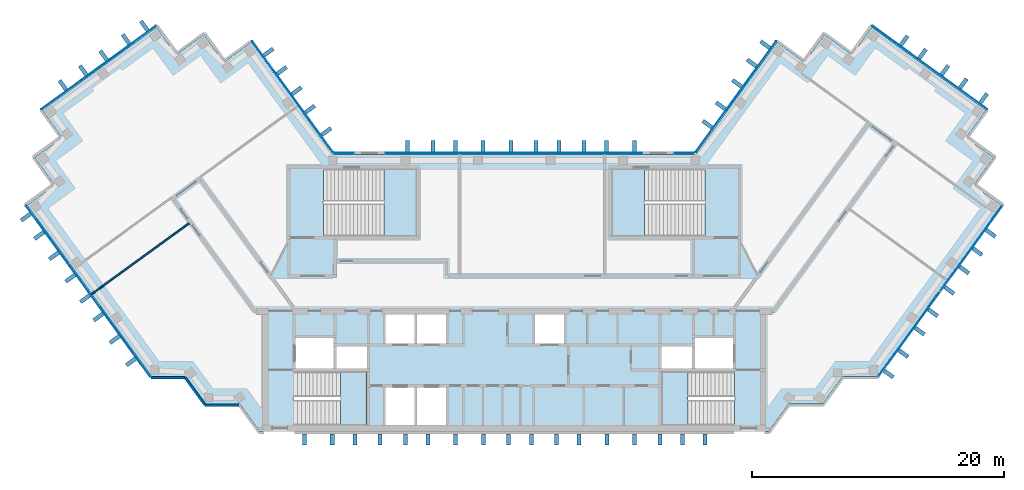
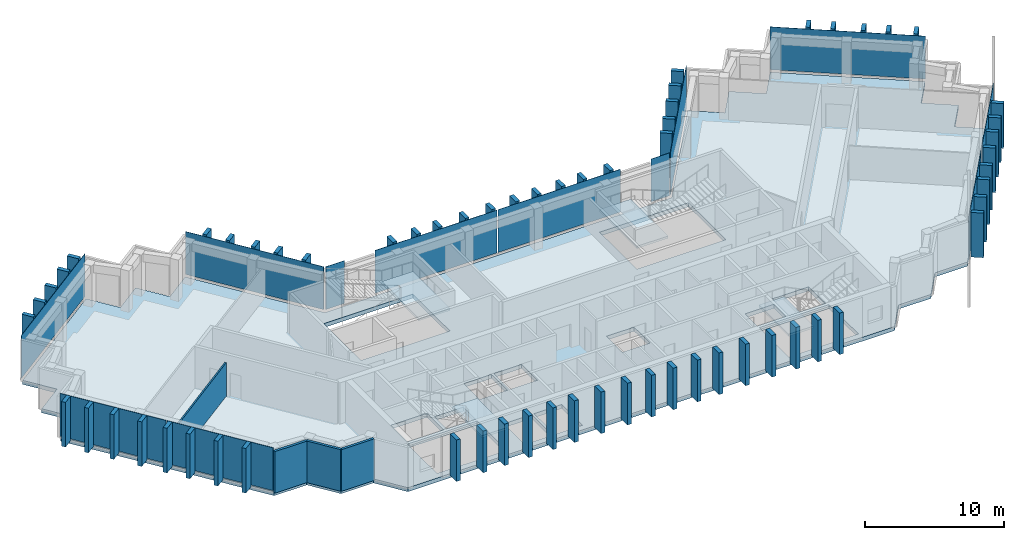
"""IFC4 building model written with IfcOpenShell, lengths in metres."""

from ifc_helpers import new_model, si_unit, direction, frame, frame_2d, origin, origin_2d, place, context, subcontext, project, spatial, polyline, rectangle, outline, extrude, material, layer, layer_set, type_object, element, aggregate, save


model = new_model("IFC4")

# Units and contexts
model_context = context("Model", 3, precision=1e-05, world=origin(), true_north=direction((0.0, 1.0)))
body_context = subcontext(model_context, "Body", "Model", "MODEL_VIEW")
ifc_project = project(units=[si_unit("LENGTHUNIT", "METRE"), si_unit("AREAUNIT", "SQUARE_METRE"), si_unit("VOLUMEUNIT", "CUBIC_METRE"), si_unit("PLANEANGLEUNIT", "RADIAN"), si_unit("MASSUNIT", "GRAM", prefix="KILO")], contexts=[model_context])

# Site, building, storey
site_placement = place(None, origin())
site = spatial("IfcSite", under=ifc_project, at=site_placement, CompositionType="ELEMENT")
building_placement = place(site_placement, origin())
building = spatial("IfcBuilding", under=site, at=building_placement, Name="Quipu Civic Tower", CompositionType="ELEMENT")
storey_1_placement = place(building_placement, frame((0.0, 0.0, 327.0)))
storey_1 = spatial("IfcBuildingStorey", under=building, at=storey_1_placement, Name="L76", CompositionType="ELEMENT", Elevation=327.0)

# Slab
ifc_material_1 = material(Name="Concrete C40/50", Category="concrete")
ifc_layer_1 = layer(ifc_material_1, 0.35009765625)
ifc_layer_set_1 = layer_set([ifc_layer_1], Name="Concrete C40/50")
slab_type_1 = type_object("IfcSlabType", Name="Floor slab 350 C40/50", PredefinedType="FLOOR", material=ifc_layer_set_1)
slab_1_placement = place(storey_1_placement, frame((0.0, 0.0, -0.35009765625)))
element("IfcSlab", 1, at=slab_1_placement, inside=storey_1, type_object=slab_type_1, Name="Floor slab L76", PredefinedType="FLOOR", context=body_context, shape_type="SweptSolid", body=[
    extrude(outline(polyline([(20.860107421875, 19.89501953125), (23.0400390625, 18.31005859375), (24.6298828125, 20.4951171875), (26.81494140625, 18.905029296875), (28.39990234375, 21.090087890625), (37.4599609375, 14.5048828125), (35.875, 12.320068359375), (38.06005859375, 10.735107421875), (36.469970703125, 8.550048828125), (38.655029296875, 6.965087890625), (28.780029296875, -6.6298828125), (26.080078125, -6.6298828125), (24.489990234375, -8.81494140625), (21.7900390625, -8.81494140625), (20.205078125, -11.0), (-20.205078125, -11.0), (-21.7900390625, -8.81494140625), (-24.489990234375, -8.81494140625), (-26.080078125, -6.6298828125), (-28.780029296875, -6.6298828125), (-38.655029296875, 6.965087890625), (-36.469970703125, 8.550048828125), (-38.06005859375, 10.735107421875), (-35.875, 12.320068359375), (-37.4599609375, 14.5048828125), (-28.39990234375, 21.090087890625), (-26.81494140625, 18.905029296875), (-24.6298828125, 20.4951171875), (-23.0400390625, 18.31005859375), (-20.860107421875, 19.89501953125), (-14.39501953125, 11.0), (14.39501953125, 11.0), (20.860107421875, 19.89501953125)]), holes=[polyline([(-10.199951171875, -10.5), (-7.89990234375, -10.5), (-7.89990234375, -7.5), (-10.199951171875, -7.5), (-10.199951171875, -10.5)]), polyline([(-7.699951171875, -7.5), (-7.699951171875, -10.5), (-5.39990234375, -10.5), (-5.39990234375, -7.5), (-7.699951171875, -7.5)]), polyline([(-11.705078125, -6.2548828125), (-17.4951171875, -6.2548828125), (-17.4951171875, -10.4951171875), (-11.705078125, -10.4951171875), (-11.705078125, -6.2548828125)]), polyline([(-14.10009765625, -6.0), (-11.699951171875, -6.0), (-11.699951171875, -4.25), (-14.10009765625, -4.25), (-14.10009765625, -6.0)]), polyline([(-17.35009765625, -3.60009765625), (-17.35009765625, -6.0), (-14.35009765625, -6.0), (-14.35009765625, -3.60009765625), (-17.35009765625, -3.60009765625)]), polyline([(-10.199951171875, -1.699951171875), (-10.199951171875, -4.0), (-7.89990234375, -4.0), (-7.89990234375, -1.699951171875), (-10.199951171875, -1.699951171875)]), polyline([(-15.14501953125, 9.844970703125), (-15.14501953125, 4.5048828125), (-7.7548828125, 4.5048828125), (-7.7548828125, 9.844970703125), (-15.14501953125, 9.844970703125)]), polyline([(11.705078125, -10.4951171875), (17.4951171875, -10.4951171875), (17.4951171875, -6.2548828125), (11.705078125, -6.2548828125), (11.705078125, -10.4951171875)]), polyline([(11.699951171875, -4.25), (11.699951171875, -6.0), (14.10009765625, -6.0), (14.10009765625, -4.25), (11.699951171875, -4.25)]), polyline([(14.35009765625, -3.60009765625), (14.35009765625, -6.0), (17.35009765625, -6.0), (17.35009765625, -3.60009765625), (14.35009765625, -3.60009765625)]), polyline([(-7.699951171875, -1.699951171875), (-7.699951171875, -4.0), (-5.39990234375, -4.0), (-5.39990234375, -1.699951171875), (-7.699951171875, -1.699951171875)]), polyline([(1.64990234375, -1.699951171875), (1.64990234375, -4.0), (3.949951171875, -4.0), (3.949951171875, -1.699951171875), (1.64990234375, -1.699951171875)]), polyline([(7.7548828125, 4.5048828125), (15.14501953125, 4.5048828125), (15.14501953125, 9.844970703125), (7.7548828125, 9.844970703125), (7.7548828125, 4.5048828125)])]), origin(), (0.0, 0.0, 1.0), 0.35009765625),
])

# Storey
storey_2_placement = place(building_placement, frame((0.0, 0.0, 323.0)))
storey_2 = spatial("IfcBuildingStorey", under=building, at=storey_2_placement, Name="L75", CompositionType="ELEMENT", Elevation=323.0)

# Curtain wall, plate
ifc_material_2 = material(Name="Insulated glass unit", Category="glass")
curtain_wall_type = type_object("IfcCurtainWallType", Name="Office curtain wall CW1", PredefinedType="NOTDEFINED", material=ifc_material_2)
curtain_wall_1_placement = place(storey_2_placement, origin())
curtain_wall_1 = element("IfcCurtainWall", 2, at=curtain_wall_1_placement, inside=storey_2, type_object=curtain_wall_type, Name="Office curtain wall CW1 L74 run 8", PredefinedType="NOTDEFINED")
ifc_material_3 = material(Name="Insulated glass unit", Category="glass")
ifc_layer_2 = layer(ifc_material_3, 0.028076171875)
ifc_layer_set_2 = layer_set([ifc_layer_2], Name="Insulated glass unit")
plate_type_1 = type_object("IfcPlateType", Name="Glass panel CW1", PredefinedType="CURTAIN_PANEL", material=ifc_layer_set_2)
plate_1_placement = place(storey_1_placement, frame((-17.590087890625, 15.5673828125, 0.16015625), z_axis=(0.0, 0.0, 1.0), x_axis=(-0.587787771652, 0.809015163947, 0.0)))
plate_1 = element("IfcPlate", 3, at=plate_1_placement, inside=storey_1, type_object=plate_type_1, Name="CW1 panel 1.3", PredefinedType="CURTAIN_PANEL", context=body_context, shape_type="SweptSolid", body=[
    extrude(rectangle(XDim=10.88427734375, YDim=0.028076171875, at=origin_2d()), origin(), (0.0, 0.0, 1.0), 3.760009765625),
])
aggregate(curtain_wall_1, [plate_1])

curtain_wall_2_placement = place(storey_2_placement, origin())
curtain_wall_2 = element("IfcCurtainWall", 4, at=curtain_wall_2_placement, inside=storey_2, type_object=curtain_wall_type, Name="Office curtain wall CW1 L74 run 13", PredefinedType="NOTDEFINED")
plate_2_placement = place(storey_1_placement, frame((-32.989990234375, 17.87939453125, 0.16015625), z_axis=(0.0, 0.0, 1.0), x_axis=(-0.809015176832, -0.587787753918, 0.0)))
plate_2 = element("IfcPlate", 5, at=plate_2_placement, inside=storey_1, type_object=plate_type_1, Name="CW1 panel 1.3", PredefinedType="CURTAIN_PANEL", context=body_context, shape_type="SweptSolid", body=[
    extrude(rectangle(XDim=11.239990234375, YDim=0.028076171875, at=origin_2d()), origin(), (0.0, 0.0, 1.0), 3.760009765625),
])
aggregate(curtain_wall_2, [plate_2])

# Curtain wall, plates
curtain_wall_3_placement = place(storey_2_placement, origin())
curtain_wall_3 = element("IfcCurtainWall", 6, at=curtain_wall_3_placement, inside=storey_2, type_object=curtain_wall_type, Name="Office curtain wall CW1 L74 run 18", PredefinedType="NOTDEFINED")
plate_3_placement = place(storey_1_placement, frame((-36.292724609375, 3.54052734375, 0.16015625), z_axis=(0.0, 0.0, 1.0), x_axis=(0.587786237643, -0.809016278475, 0.0)))
plate_3 = element("IfcPlate", 7, at=plate_3_placement, inside=storey_1, type_object=plate_type_1, Name="CW1 panel 1.3", PredefinedType="CURTAIN_PANEL", context=body_context, shape_type="SweptSolid", body=[
    extrude(rectangle(XDim=8.35791015625, YDim=0.028076171875, at=origin_2d()), origin(), (0.0, 0.0, 1.0), 3.760009765625),
])
plate_4_placement = place(storey_1_placement, frame((-31.333251953125, -3.285888671875, 0.16015625), z_axis=(0.0, 0.0, 1.0), x_axis=(0.587786237643, -0.809016278475, 0.0)))
plate_4 = element("IfcPlate", 8, at=plate_4_placement, inside=storey_1, type_object=plate_type_1, Name="CW1 panel 2.3", PredefinedType="CURTAIN_PANEL", context=body_context, shape_type="SweptSolid", body=[
    extrude(rectangle(XDim=8.35791015625, YDim=0.028076171875, at=origin_2d()), origin(), (0.0, 0.0, 1.0), 3.760009765625),
])
aggregate(curtain_wall_3, [plate_3, plate_4])

# Curtain wall, plate
curtain_wall_4_placement = place(storey_2_placement, origin())
curtain_wall_4 = element("IfcCurtainWall", 9, at=curtain_wall_4_placement, inside=storey_2, type_object=curtain_wall_type, Name="Office curtain wall CW1 L74 run 28", PredefinedType="NOTDEFINED")
plate_5_placement = place(storey_1_placement, frame((32.989990234375, 17.87939453125, 0.16015625), z_axis=(0.0, 0.0, 1.0), x_axis=(-0.809015176832, 0.587787753918, 0.0)))
plate_5 = element("IfcPlate", 10, at=plate_5_placement, inside=storey_1, type_object=plate_type_1, Name="CW1 panel 1.3", PredefinedType="CURTAIN_PANEL", context=body_context, shape_type="SweptSolid", body=[
    extrude(rectangle(XDim=11.239990234375, YDim=0.028076171875, at=origin_2d()), origin(), (0.0, 0.0, 1.0), 3.760009765625),
])
aggregate(curtain_wall_4, [plate_5])

curtain_wall_5_placement = place(storey_2_placement, origin())
curtain_wall_5 = element("IfcCurtainWall", 11, at=curtain_wall_5_placement, inside=storey_2, type_object=curtain_wall_type, Name="Office curtain wall CW1 L74 run 33", PredefinedType="NOTDEFINED")
plate_6_placement = place(storey_1_placement, frame((17.590087890625, 15.5673828125, 0.16015625), z_axis=(0.0, 0.0, 1.0), x_axis=(-0.587787771652, -0.809015163947, 0.0)))
plate_6 = element("IfcPlate", 12, at=plate_6_placement, inside=storey_1, type_object=plate_type_1, Name="CW1 panel 1.3", PredefinedType="CURTAIN_PANEL", context=body_context, shape_type="SweptSolid", body=[
    extrude(rectangle(XDim=10.88427734375, YDim=0.028076171875, at=origin_2d()), origin(), (0.0, 0.0, 1.0), 3.760009765625),
])
aggregate(curtain_wall_5, [plate_6])

curtain_wall_6_placement = place(storey_2_placement, origin())
curtain_wall_6 = element("IfcCurtainWall", 13, at=curtain_wall_6_placement, inside=storey_2, type_object=curtain_wall_type, Name="Office curtain wall CW1 L74 run 34", PredefinedType="NOTDEFINED")
plate_7_placement = place(storey_1_placement, frame((13.49951171875, 11.10009765625, 0.16015625), z_axis=(0.0, 0.0, 1.0), x_axis=(-1.0, 0.0, 0.0)))
plate_7 = element("IfcPlate", 14, at=plate_7_placement, inside=storey_1, type_object=plate_type_1, Name="CW1 panel 1.3", PredefinedType="CURTAIN_PANEL", context=body_context, shape_type="SweptSolid", body=[
    extrude(rectangle(XDim=1.529296875, YDim=0.028076171875, at=origin_2d()), origin(), (0.0, 0.0, 1.0), 3.760009765625),
])
aggregate(curtain_wall_6, [plate_7])

# Curtain wall, plates
curtain_wall_7_placement = place(storey_2_placement, origin())
curtain_wall_7 = element("IfcCurtainWall", 15, at=curtain_wall_7_placement, inside=storey_2, type_object=curtain_wall_type, Name="Office curtain wall CW1 L74 run 36", PredefinedType="NOTDEFINED")
plate_8_placement = place(storey_1_placement, frame((5.11181640625, 11.10009765625, 0.16015625), z_axis=(0.0, 0.0, 1.0), x_axis=(-1.0, 0.0, 0.0)))
plate_8 = element("IfcPlate", 16, at=plate_8_placement, inside=storey_1, type_object=plate_type_1, Name="CW1 panel 1.3", PredefinedType="CURTAIN_PANEL", context=body_context, shape_type="SweptSolid", body=[
    extrude(rectangle(XDim=10.1435546875, YDim=0.028076171875, at=origin_2d()), origin(), (0.0, 0.0, 1.0), 3.760009765625),
])
plate_9_placement = place(storey_1_placement, frame((-5.11181640625, 11.10009765625, 0.16015625), z_axis=(0.0, 0.0, 1.0), x_axis=(-1.0, 0.0, 0.0)))
plate_9 = element("IfcPlate", 17, at=plate_9_placement, inside=storey_1, type_object=plate_type_1, Name="CW1 panel 2.3", PredefinedType="CURTAIN_PANEL", context=body_context, shape_type="SweptSolid", body=[
    extrude(rectangle(XDim=10.1435546875, YDim=0.028076171875, at=origin_2d()), origin(), (0.0, 0.0, 1.0), 3.760009765625),
])
aggregate(curtain_wall_7, [plate_8, plate_9])

# Curtain wall, plate
curtain_wall_8_placement = place(storey_2_placement, origin())
curtain_wall_8 = element("IfcCurtainWall", 18, at=curtain_wall_8_placement, inside=storey_2, type_object=curtain_wall_type, Name="Office curtain wall CW1 L74 run 38", PredefinedType="NOTDEFINED")
plate_10_placement = place(storey_1_placement, frame((-13.49951171875, 11.10009765625, 0.16015625), z_axis=(0.0, 0.0, 1.0), x_axis=(-1.0, 0.0, 0.0)))
plate_10 = element("IfcPlate", 19, at=plate_10_placement, inside=storey_1, type_object=plate_type_1, Name="CW1 panel 1.3", PredefinedType="CURTAIN_PANEL", context=body_context, shape_type="SweptSolid", body=[
    extrude(rectangle(XDim=1.529296875, YDim=0.028076171875, at=origin_2d()), origin(), (0.0, 0.0, 1.0), 3.760009765625),
])
aggregate(curtain_wall_8, [plate_10])

# Curtain wall, plates
curtain_wall_9_placement = place(storey_1_placement, origin())
curtain_wall_9 = element("IfcCurtainWall", 20, at=curtain_wall_9_placement, inside=storey_1, type_object=curtain_wall_type, Name="Office curtain wall CW1 L75 run 4", PredefinedType="NOTDEFINED")
plate_11_placement = place(storey_1_placement, frame((31.333251953125, -3.285888671875, 0.16015625), z_axis=(0.0, 0.0, 1.0), x_axis=(0.587786237643, 0.809016278475, 0.0)))
plate_11 = element("IfcPlate", 21, at=plate_11_placement, type_object=plate_type_1, Name="CW1 panel 1.2", PredefinedType="CURTAIN_PANEL", context=body_context, shape_type="SweptSolid", body=[
    extrude(rectangle(XDim=8.35791015625, YDim=0.028076171875, at=origin_2d()), origin(), (0.0, 0.0, 1.0), 3.840087890625),
])
plate_12_placement = place(storey_1_placement, frame((36.292724609375, 3.54052734375, 0.16015625), z_axis=(0.0, 0.0, 1.0), x_axis=(0.587786237643, 0.809016278475, 0.0)))
plate_12 = element("IfcPlate", 22, at=plate_12_placement, type_object=plate_type_1, Name="CW1 panel 2.2", PredefinedType="CURTAIN_PANEL", context=body_context, shape_type="SweptSolid", body=[
    extrude(rectangle(XDim=8.35791015625, YDim=0.028076171875, at=origin_2d()), origin(), (0.0, 0.0, 1.0), 3.840087890625),
])
aggregate(curtain_wall_9, [plate_11, plate_12])

# Plates
ifc_material_4 = material(Name="Precast concrete C40/50", Category="concrete")
plate_type_2 = type_object("IfcPlateType", Name="Precast fin F3", PredefinedType="SHEET", material=ifc_material_4)
for number, where, z_axis, x_axis, name in (
    (23, (-14.90380859375, 12.805908203125, 0.080078125), (0.0, 0.0, 1.0), (-0.58778443384, 0.809017589015, 0.0), "Precast fin F3 L76.P01.1"),
    (24, (-16.197021484375, 14.585693359375, 0.080078125), (0.0, 0.0, 1.0), (-0.58778443384, 0.809017589015, 0.0), "Precast fin F3 L76.P01.2"),
    (25, (-17.2548828125, 16.0419921875, 0.080078125), (0.0, 0.0, 1.0), (-0.58778443384, 0.809017589015, 0.0), "Precast fin F3 L76.P01.3"),
    (26, (-18.4306640625, 17.66015625, 0.080078125), (0.0, 0.0, 1.0), (-0.58778443384, 0.809017589015, 0.0), "Precast fin F3 L76.P01.4"),
    (27, (-19.488525390625, 19.1162109375, 0.080078125), (0.0, 0.0, 1.0), (-0.58778443384, 0.809017589015, 0.0), "Precast fin F3 L76.P01.5"),
    (28, (-29.357177734375, 21.198486328125, 0.080078125), (0.0, 0.0, 1.0), (-0.809017072762, -0.587785144401, 0.0), "Precast fin F3 L76.P06.1"),
    (29, (-30.8134765625, 20.140625, 0.080078125), (0.0, 0.0, 1.0), (-0.809017072762, -0.587785144401, 0.0), "Precast fin F3 L76.P06.2"),
    (30, (-32.59326171875, 18.847412109375, 0.080078125), (0.0, 0.0, 1.0), (-0.809017072762, -0.587785144401, 0.0), "Precast fin F3 L76.P06.3"),
    (31, (-34.21142578125, 17.671875, 0.080078125), (0.0, 0.0, 1.0), (-0.809017072762, -0.587785144401, 0.0), "Precast fin F3 L76.P06.4"),
    (32, (-35.829345703125, 16.496337890625, 0.080078125), (0.0, 0.0, 1.0), (-0.809017072762, -0.587785144401, 0.0), "Precast fin F3 L76.P06.5"),
    (33, (-38.764892578125, 6.007568359375, 0.080078125), (0.0, 0.0, 1.0), (0.587786668783, -0.809015965233, 0.0), "Precast fin F3 L76.P11.1"),
    (34, (-37.70703125, 4.55126953125, 0.080078125), (0.0, 0.0, 1.0), (0.587786668783, -0.809015965233, 0.0), "Precast fin F3 L76.P11.2"),
    (35, (-36.53125, 2.933349609375, 0.080078125), (0.0, 0.0, 1.0), (0.587786668783, -0.809015965233, 0.0), "Precast fin F3 L76.P11.3"),
    (36, (-35.23828125, 1.1533203125, 0.080078125), (0.0, 0.0, 1.0), (0.587786668783, -0.809015965233, 0.0), "Precast fin F3 L76.P11.4"),
    (37, (-34.062744140625, -0.464599609375, 0.080078125), (0.0, 0.0, 1.0), (0.587786668783, -0.809015965233, 0.0), "Precast fin F3 L76.P11.5"),
    (38, (-33.004638671875, -1.9208984375, 0.080078125), (0.0, 0.0, 1.0), (0.587786668783, -0.809015965233, 0.0), "Precast fin F3 L76.P11.6"),
    (39, (-31.71142578125, -3.70068359375, 0.080078125), (0.0, 0.0, 1.0), (0.587786668783, -0.809015965233, 0.0), "Precast fin F3 L76.P11.7"),
    (40, (-30.41845703125, -5.48046875, 0.080078125), (0.0, 0.0, 1.0), (0.587786668783, -0.809015965233, 0.0), "Precast fin F3 L76.P11.8"),
):
    element("IfcPlate", number, at=place(storey_1_placement, frame(where, z_axis=z_axis, x_axis=x_axis)), inside=storey_1, type_object=plate_type_2, Name=name, PredefinedType="SHEET", context=body_context, shape_type="SweptSolid", body=[
        extrude(rectangle(XDim=0.320068359375, YDim=0.89990234375, at=origin_2d()), origin(), (0.0, 0.0, 1.0), 3.919921875),
    ])
for number, where, z_axis, x_axis, name in (
    (41, (-16.639892578125, -11.637939453125, 0.0), (0.0, 0.0, 1.0), (1.0, 0.0, 0.0), "Precast fin F3 L76.P18.1"),
    (42, (-14.43994140625, -11.637939453125, 0.0), (0.0, 0.0, 1.0), (1.0, 0.0, 0.0), "Precast fin F3 L76.P18.2"),
    (43, (-12.639892578125, -11.637939453125, 0.0), (0.0, 0.0, 1.0), (1.0, 0.0, 0.0), "Precast fin F3 L76.P18.3"),
    (44, (-10.639892578125, -11.637939453125, 0.0), (0.0, 0.0, 1.0), (1.0, 0.0, 0.0), "Precast fin F3 L76.P18.4"),
    (45, (-8.639892578125, -11.637939453125, 0.0), (0.0, 0.0, 1.0), (1.0, 0.0, 0.0), "Precast fin F3 L76.P18.5"),
    (46, (-6.840087890625, -11.637939453125, 0.0), (0.0, 0.0, 1.0), (1.0, 0.0, 0.0), "Precast fin F3 L76.P18.6"),
    (47, (-4.639892578125, -11.637939453125, 0.0), (0.0, 0.0, 1.0), (1.0, 0.0, 0.0), "Precast fin F3 L76.P18.7"),
    (48, (-2.43994140625, -11.637939453125, 0.0), (0.0, 0.0, 1.0), (1.0, 0.0, 0.0), "Precast fin F3 L76.P18.8"),
    (49, (-0.43994140625, -11.637939453125, 0.0), (0.0, 0.0, 1.0), (1.0, 0.0, 0.0), "Precast fin F3 L76.P18.9"),
    (50, (1.360107421875, -11.637939453125, 0.0), (0.0, 0.0, 1.0), (1.0, 0.0, 0.0), "Precast fin F3 L76.P18.10"),
    (51, (3.360107421875, -11.637939453125, 0.0), (0.0, 0.0, 1.0), (1.0, 0.0, 0.0), "Precast fin F3 L76.P18.11"),
    (52, (5.159912109375, -11.637939453125, 0.0), (0.0, 0.0, 1.0), (1.0, 0.0, 0.0), "Precast fin F3 L76.P18.12"),
    (53, (7.360107421875, -11.637939453125, 0.0), (0.0, 0.0, 1.0), (1.0, 0.0, 0.0), "Precast fin F3 L76.P18.13"),
    (54, (9.56005859375, -11.637939453125, 0.0), (0.0, 0.0, 1.0), (1.0, 0.0, 0.0), "Precast fin F3 L76.P18.14"),
    (55, (11.56005859375, -11.637939453125, 0.0), (0.0, 0.0, 1.0), (1.0, 0.0, 0.0), "Precast fin F3 L76.P18.15"),
    (56, (13.360107421875, -11.637939453125, 0.0), (0.0, 0.0, 1.0), (1.0, 0.0, 0.0), "Precast fin F3 L76.P18.16"),
    (57, (15.159912109375, -11.637939453125, 0.0), (0.0, 0.0, 1.0), (1.0, 0.0, 0.0), "Precast fin F3 L76.P18.17"),
):
    element("IfcPlate", number, at=place(storey_1_placement, frame(where, z_axis=z_axis, x_axis=x_axis)), inside=storey_1, type_object=plate_type_2, Name=name, PredefinedType="SHEET", context=body_context, shape_type="SweptSolid", body=[
        extrude(rectangle(XDim=0.320068359375, YDim=0.89990234375, at=origin_2d()), origin(), (0.0, 0.0, 1.0), 3.64990234375),
    ])
for number, where, z_axis, x_axis, name in (
    (58, (37.26953125, 15.449951171875, 0.080078125), (0.0, 0.0, 1.0), (-0.809017072762, 0.587785144401, 0.0), "Precast fin F3 L76.P22.1"),
    (59, (35.6513671875, 16.62548828125, 0.080078125), (0.0, 0.0, 1.0), (-0.809017072762, 0.587785144401, 0.0), "Precast fin F3 L76.P22.2"),
    (60, (34.1953125, 17.68359375, 0.080078125), (0.0, 0.0, 1.0), (-0.809017072762, 0.587785144401, 0.0), "Precast fin F3 L76.P22.3"),
    (61, (32.415283203125, 18.976806640625, 0.080078125), (0.0, 0.0, 1.0), (-0.809017072762, 0.587785144401, 0.0), "Precast fin F3 L76.P22.4"),
    (62, (30.959228515625, 20.03466796875, 0.080078125), (0.0, 0.0, 1.0), (-0.809017072762, 0.587785144401, 0.0), "Precast fin F3 L76.P22.5"),
    (63, (19.914794921875, 19.702880859375, 0.080078125), (0.0, 0.0, 1.0), (-0.58778443384, -0.809017589015, 0.0), "Precast fin F3 L76.P27.1"),
    (64, (18.856689453125, 18.246826171875, 0.080078125), (0.0, 0.0, 1.0), (-0.58778443384, -0.809017589015, 0.0), "Precast fin F3 L76.P27.2"),
    (65, (17.68115234375, 16.628662109375, 0.080078125), (0.0, 0.0, 1.0), (-0.58778443384, -0.809017589015, 0.0), "Precast fin F3 L76.P27.3"),
    (66, (16.38818359375, 14.848876953125, 0.080078125), (0.0, 0.0, 1.0), (-0.58778443384, -0.809017589015, 0.0), "Precast fin F3 L76.P27.4"),
    (67, (15.330078125, 13.392578125, 0.080078125), (0.0, 0.0, 1.0), (-0.58778443384, -0.809017589015, 0.0), "Precast fin F3 L76.P27.5"),
    (68, (9.5400390625, 11.64990234375, 0.080078125), (0.0, 0.0, 1.0), (-1.0, 0.0, 0.0), "Precast fin F3 L76.P30.1"),
    (69, (7.340087890625, 11.64990234375, 0.080078125), (0.0, 0.0, 1.0), (-1.0, 0.0, 0.0), "Precast fin F3 L76.P30.2"),
    (70, (5.5400390625, 11.64990234375, 0.080078125), (0.0, 0.0, 1.0), (-1.0, 0.0, 0.0), "Precast fin F3 L76.P30.3"),
    (71, (3.5400390625, 11.64990234375, 0.080078125), (0.0, 0.0, 1.0), (-1.0, 0.0, 0.0), "Precast fin F3 L76.P30.4"),
    (72, (1.739990234375, 11.64990234375, 0.080078125), (0.0, 0.0, 1.0), (-1.0, 0.0, 0.0), "Precast fin F3 L76.P30.5"),
    (73, (-0.260009765625, 11.64990234375, 0.080078125), (0.0, 0.0, 1.0), (-1.0, 0.0, 0.0), "Precast fin F3 L76.P30.6"),
    (74, (-2.4599609375, 11.64990234375, 0.080078125), (0.0, 0.0, 1.0), (-1.0, 0.0, 0.0), "Precast fin F3 L76.P30.7"),
    (75, (-4.659912109375, 11.64990234375, 0.080078125), (0.0, 0.0, 1.0), (-1.0, 0.0, 0.0), "Precast fin F3 L76.P30.8"),
    (76, (-6.4599609375, 11.64990234375, 0.080078125), (0.0, 0.0, 1.0), (-1.0, 0.0, 0.0), "Precast fin F3 L76.P30.9"),
    (77, (-8.4599609375, 11.64990234375, 0.080078125), (0.0, 0.0, 1.0), (-1.0, 0.0, 0.0), "Precast fin F3 L76.P30.10"),
    (78, (29.721923828125, -6.43896484375, 0.080078125), (0.0, 0.0, 1.0), (0.587786668783, 0.809015965233, 0.0), "Precast fin F3 L76.P36.1"),
    (79, (30.8974609375, -4.821044921875, 0.080078125), (0.0, 0.0, 1.0), (0.587786668783, 0.809015965233, 0.0), "Precast fin F3 L76.P36.2"),
    (80, (32.190673828125, -3.041015625, 0.080078125), (0.0, 0.0, 1.0), (0.587786668783, 0.809015965233, 0.0), "Precast fin F3 L76.P36.3"),
    (81, (33.248779296875, -1.5849609375, 0.080078125), (0.0, 0.0, 1.0), (0.587786668783, 0.809015965233, 0.0), "Precast fin F3 L76.P36.4"),
    (82, (34.541748046875, 0.195068359375, 0.080078125), (0.0, 0.0, 1.0), (0.587786668783, 0.809015965233, 0.0), "Precast fin F3 L76.P36.5"),
    (83, (35.717529296875, 1.81298828125, 0.080078125), (0.0, 0.0, 1.0), (0.587786668783, 0.809015965233, 0.0), "Precast fin F3 L76.P36.6"),
    (84, (36.775390625, 3.269287109375, 0.080078125), (0.0, 0.0, 1.0), (0.587786668783, 0.809015965233, 0.0), "Precast fin F3 L76.P36.7"),
    (85, (37.83349609375, 4.725341796875, 0.080078125), (0.0, 0.0, 1.0), (0.587786668783, 0.809015965233, 0.0), "Precast fin F3 L76.P36.8"),
):
    element("IfcPlate", number, at=place(storey_1_placement, frame(where, z_axis=z_axis, x_axis=x_axis)), inside=storey_1, type_object=plate_type_2, Name=name, PredefinedType="SHEET", context=body_context, shape_type="SweptSolid", body=[
        extrude(rectangle(XDim=0.320068359375, YDim=0.89990234375, at=origin_2d()), origin(), (0.0, 0.0, 1.0), 3.919921875),
    ])

# Stair, slab
ifc_material_5 = material(Name="Concrete C40/50", Category="concrete")
stair_type_1 = type_object("IfcStairType", Name="Half turn stair 2000", PredefinedType="HALF_TURN_STAIR", material=ifc_material_5)
stair_1_placement = place(storey_1_placement, origin())
stair_1 = element("IfcStair", 86, at=stair_1_placement, inside=storey_1, type_object=stair_type_1, Name="Exit stair 1", PredefinedType="HALF_TURN_STAIR")
ifc_material_6 = material(Name="Concrete C40/50", Category="concrete")
ifc_layer_3 = layer(ifc_material_6, 0.199951171875)
ifc_layer_set_3 = layer_set([ifc_layer_3], Name="Concrete C40/50")
slab_type_2 = type_object("IfcSlabType", Name="Stair landing 200", PredefinedType="LANDING", material=ifc_layer_set_3)
slab_2_placement = place(storey_1_placement, frame((0.0, 0.0, 1.800048828125)))
slab_2 = element("IfcSlab", 87, at=slab_2_placement, type_object=slab_type_2, Name="ST-1 landing 1", PredefinedType="LANDING", context=body_context, shape_type="SweptSolid", body=[
    extrude(outline(polyline([(-13.780029296875, -10.5), (-11.699951171875, -10.5), (-11.699951171875, -6.25), (-13.780029296875, -6.25), (-13.780029296875, -10.5)])), origin(), (0.0, 0.0, 1.0), 0.199951171875),
])
aggregate(stair_1, [slab_2])

stair_2_placement = place(storey_1_placement, origin())
stair_2 = element("IfcStair", 88, at=stair_2_placement, inside=storey_1, type_object=stair_type_1, Name="Exit stair 2", PredefinedType="HALF_TURN_STAIR")
slab_3_placement = place(storey_1_placement, frame((0.0, 0.0, 1.800048828125)))
slab_3 = element("IfcSlab", 89, at=slab_3_placement, type_object=slab_type_2, Name="ST-2 landing 1", PredefinedType="LANDING", context=body_context, shape_type="SweptSolid", body=[
    extrude(outline(polyline([(13.780029296875, -6.25), (11.699951171875, -6.25), (11.699951171875, -10.5), (13.780029296875, -10.5), (13.780029296875, -6.25)])), origin(), (0.0, 0.0, 1.0), 0.199951171875),
])
aggregate(stair_2, [slab_3])

ifc_material_7 = material(Name="Concrete C40/50", Category="concrete")
stair_type_2 = type_object("IfcStairType", Name="Half turn stair 2600", PredefinedType="HALF_TURN_STAIR", material=ifc_material_7)
stair_3_placement = place(storey_1_placement, origin())
stair_3 = element("IfcStair", 90, at=stair_3_placement, inside=storey_1, type_object=stair_type_2, Name="Exit stair 3", PredefinedType="HALF_TURN_STAIR")
slab_4_placement = place(storey_1_placement, frame((0.0, 0.0, 1.800048828125)))
slab_4 = element("IfcSlab", 91, at=slab_4_placement, type_object=slab_type_2, Name="ST-3 landing 1", PredefinedType="LANDING", context=body_context, shape_type="SweptSolid", body=[
    extrude(outline(polyline([(-10.35009765625, 4.5), (-7.75, 4.5), (-7.75, 9.85009765625), (-10.35009765625, 9.85009765625), (-10.35009765625, 4.5)])), origin(), (0.0, 0.0, 1.0), 0.199951171875),
])
aggregate(stair_3, [slab_4])

stair_4_placement = place(storey_1_placement, origin())
stair_4 = element("IfcStair", 92, at=stair_4_placement, inside=storey_1, type_object=stair_type_2, Name="Exit stair 4", PredefinedType="HALF_TURN_STAIR")
slab_5_placement = place(storey_1_placement, frame((0.0, 0.0, 1.800048828125)))
slab_5 = element("IfcSlab", 93, at=slab_5_placement, type_object=slab_type_2, Name="ST-4 landing 1", PredefinedType="LANDING", context=body_context, shape_type="SweptSolid", body=[
    extrude(outline(polyline([(10.35009765625, 9.85009765625), (7.75, 9.85009765625), (7.75, 4.5), (10.35009765625, 4.5), (10.35009765625, 9.85009765625)])), origin(), (0.0, 0.0, 1.0), 0.199951171875),
])
aggregate(stair_4, [slab_5])

# Walls
ifc_material_8 = material(Name="Gypsum plasterboard on light gauge framing")
ifc_layer_4 = layer(ifc_material_8, 0.1201171875)
ifc_layer_set_4 = layer_set([ifc_layer_4], Name="Gypsum plasterboard on light gauge framing")
wall_type_1 = type_object("IfcWallType", Name="Partition 120 plasterboard", PredefinedType="PARTITIONING", material=ifc_layer_set_4)
wall_1_placement = place(storey_1_placement, frame((-25.80224609375, 5.518798828125, 0.0), z_axis=(0.0, 0.0, 1.0), x_axis=(-0.808994179369, -0.587816653173, 0.0)))
element("IfcWall", 94, at=wall_1_placement, inside=storey_1, type_object=wall_type_1, Name="Partition P06", PredefinedType="PARTITIONING", context=body_context, shape_type="SweptSolid", body=[
    extrude(rectangle(XDim=9.650634765625, YDim=0.1201171875, at=frame_2d((4.8251953125, 0.0))), origin(), (0.0, 0.0, 1.0), 2.949951171875),
])
ifc_material_9 = material(Name="Precast concrete C40/50", Category="concrete")
wall_type_2 = type_object("IfcWallType", Name="Precast cladding wall", PredefinedType="SOLIDWALL", material=ifc_material_9)
wall_2_placement = place(storey_1_placement, frame((-28.829833984375, -6.71923828125, 0.0), z_axis=(0.0, 0.0, 1.0), x_axis=(1.0, 0.0, 0.0)))
element("IfcWall", 95, at=wall_2_placement, inside=storey_1, type_object=wall_type_2, Name="Precast cladding wall L76 P12", PredefinedType="SOLIDWALL", context=body_context, shape_type="SweptSolid", body=[
    extrude(rectangle(XDim=2.699951171875, YDim=0.199951171875, at=frame_2d((1.35009765625, 0.0))), origin(), (0.0, 0.0, 1.0), 3.64990234375),
])
wall_3_placement = place(storey_1_placement, frame((-26.1201171875, -6.72412109375, 0.0), z_axis=(0.0, 0.0, 1.0), x_axis=(0.587720002413, -0.809064397168, 0.0)))
element("IfcWall", 96, at=wall_3_placement, inside=storey_1, type_object=wall_type_2, Name="Precast cladding wall L76 P13", PredefinedType="SOLIDWALL", context=body_context, shape_type="SweptSolid", body=[
    extrude(rectangle(XDim=2.7001953125, YDim=0.199951171875, at=frame_2d((1.35009765625, 0.0))), origin(), (0.0, 0.0, 1.0), 3.64990234375),
])
wall_4_placement = place(storey_1_placement, frame((-24.542724609375, -8.90380859375, 0.0), z_axis=(0.0, 0.0, 1.0), x_axis=(1.0, 0.0, 0.0)))
element("IfcWall", 97, at=wall_4_placement, inside=storey_1, type_object=wall_type_2, Name="Precast cladding wall L76 P14", PredefinedType="SOLIDWALL", context=body_context, shape_type="SweptSolid", body=[
    extrude(rectangle(XDim=2.699951171875, YDim=0.199951171875, at=frame_2d((1.35009765625, 0.0))), origin(), (0.0, 0.0, 1.0), 3.64990234375),
])

save(model, "model.ifc")
